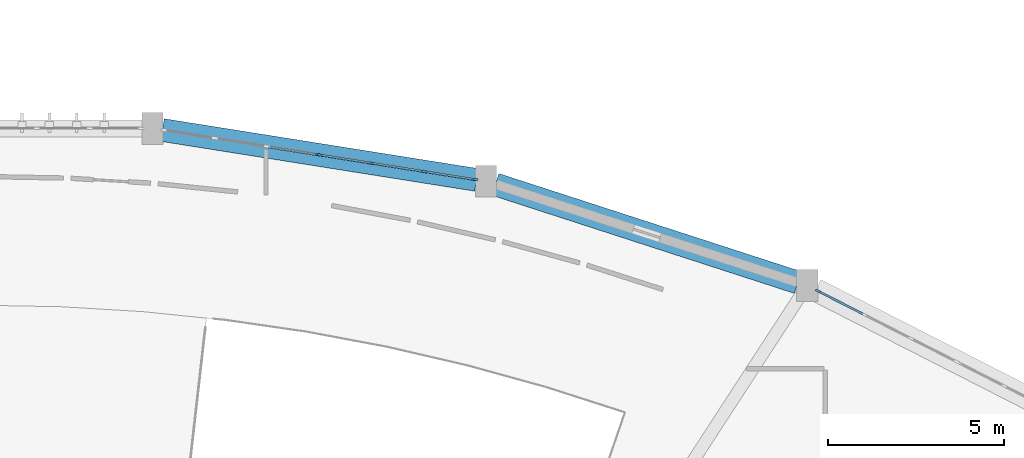
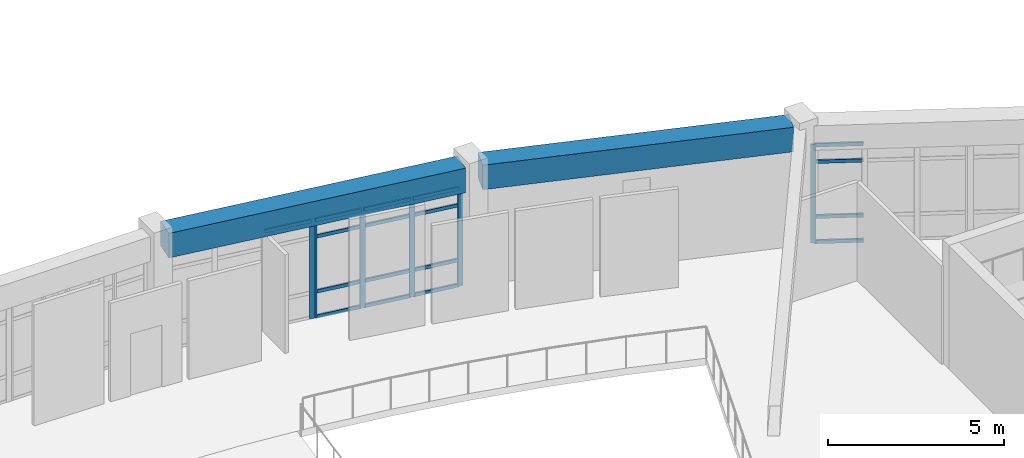
# One storey, part 21 of 57: 23 members, 2 beams, 3 elements without a shape of their own.
"""IFC4 building model written with IfcOpenShell, lengths in metres."""

from ifc_helpers import new_model, si_unit, direction, frame, origin, origin_2d, place, context, subcontext, project, spatial, rectangle, extrude, material, layer, layer_set, material_profile, profile_set, type_object, element, aggregate, save


model = new_model("IFC4")

# Units and contexts
model_context = context("Model", 3, precision=1e-05, world=origin(), true_north=direction((0.0, 1.0)))
body_context = subcontext(model_context, "Body", "Model", "MODEL_VIEW")
ifc_project = project(units=[si_unit("LENGTHUNIT", "METRE"), si_unit("AREAUNIT", "SQUARE_METRE"), si_unit("VOLUMEUNIT", "CUBIC_METRE"), si_unit("PLANEANGLEUNIT", "RADIAN"), si_unit("MASSUNIT", "GRAM", prefix="KILO")], contexts=[model_context])

# Site, building, storey
site_placement = place(None, origin())
site = spatial("IfcSite", under=ifc_project, at=site_placement, CompositionType="ELEMENT")
building_placement = place(site_placement, origin())
building = spatial("IfcBuilding", under=site, at=building_placement, Name="Miralva Faculty of Natural Sciences", CompositionType="ELEMENT")
storey_placement = place(building_placement, frame((0.0, 0.0, 15.0)))
storey = spatial("IfcBuildingStorey", under=building, at=storey_placement, Name="L03", CompositionType="ELEMENT", Elevation=15.0)

# Beams
ifc_material_1 = material(Name="Concrete C40/50", Category="concrete")
ifc_material_profile_1 = material_profile(ifc_material_1, rectangle(XDim=0.64990234375, YDim=0.85009765625, at=origin_2d()), Name="RC 650x850")
ifc_profile_set_1 = profile_set([ifc_material_profile_1], Name="Concrete C40/50")
beam_type = type_object("IfcBeamType", Name="BM-SP03", PredefinedType="SPANDREL", material=ifc_profile_set_1)
beam_1_placement = place(storey_placement, frame((113.077392578125, 35.445068359375, 3.8349609375), z_axis=(-0.951264483171, 0.30837620378, 0.0), x_axis=(-0.30837620378, -0.951264483171, 0.0)))
element("IfcBeam", 1, at=beam_1_placement, inside=storey, type_object=beam_type, Name="Curved chord girder SHOUT L03-3", PredefinedType="SPANDREL", context=body_context, shape_type="SweptSolid", body=[
    extrude(rectangle(XDim=0.64990234375, YDim=0.85009765625, at=origin_2d()), origin(), (0.0, 0.0, 1.0), 9.01416015625),
])
beam_2_placement = place(storey_placement, frame((103.96728515625, 38.353271484375, 3.8349609375), z_axis=(-0.987637724409, 0.156753709124, 0.0), x_axis=(-0.156753709124, -0.987637724409, 0.0)))
element("IfcBeam", 2, at=beam_2_placement, inside=storey, type_object=beam_type, Name="Curved chord girder SHOUT L03-4", PredefinedType="SPANDREL", context=body_context, shape_type="SweptSolid", body=[
    extrude(rectangle(XDim=0.64990234375, YDim=0.85009765625, at=origin_2d()), origin(), (0.0, 0.0, 1.0), 9.016357421875),
])

# Curtain wall, member
ifc_material_2 = material(Name="Laminated solar-control glass", Category="glass")
ifc_layer = layer(ifc_material_2, 0.179931640625, Name="CW-ARC-L03")
ifc_layer_set = layer_set([ifc_layer], Name="Laminated solar-control glass")
curtain_wall_type = type_object("IfcCurtainWallType", Name="CW-ARC-L03", PredefinedType="USERDEFINED", material=ifc_layer_set)
curtain_wall_1_placement = place(storey_placement, origin())
curtain_wall_1 = element("IfcCurtainWall", 3, at=curtain_wall_1_placement, inside=storey, type_object=curtain_wall_type, Name="Curtain wall CW-03 L03-135", ObjectType="UNITISED CURTAIN WALL", PredefinedType="USERDEFINED")
ifc_material_3 = material(Name="Anodised aluminium", Category="aluminium")
ifc_material_profile_2 = material_profile(ifc_material_3, rectangle(XDim=0.06494140625, YDim=0.159912109375, at=origin_2d()), Name="MULLION 65x160")
ifc_profile_set_2 = profile_set([ifc_material_profile_2], Name="Anodised aluminium")
member_type_1 = type_object("IfcMemberType", Name="CW-M02", PredefinedType="MULLION", material=ifc_profile_set_2)
member_1_placement = place(storey_placement, frame((99.48095703125, 39.068359375, 0.0), z_axis=(0.0, 0.0, 1.0), x_axis=(0.15640978572, 0.987692249099, 0.0)))
member_1 = element("IfcMember", 4, at=member_1_placement, type_object=member_type_1, Name="CW-03 mullion 4", PredefinedType="MULLION", context=body_context, shape_type="SweptSolid", body=[
    extrude(rectangle(XDim=0.06494140625, YDim=0.159912109375, at=origin_2d()), origin(), (0.0, 0.0, 1.0), 3.405029296875),
])

# Curtain wall, members
curtain_wall_2_placement = place(storey_placement, origin())
curtain_wall_2 = element("IfcCurtainWall", 5, at=curtain_wall_2_placement, inside=storey, type_object=curtain_wall_type, Name="Curtain wall CW-03 L03-136", ObjectType="UNITISED CURTAIN WALL", PredefinedType="USERDEFINED")
member_2_placement = place(storey_placement, frame((99.540283203125, 39.05908203125, 0.0), z_axis=(0.0, 0.0, 1.0), x_axis=(0.156436640476, 0.987687996038, 0.0)))
member_2 = element("IfcMember", 6, at=member_2_placement, type_object=member_type_1, Name="CW-03 mullion 1", PredefinedType="MULLION", context=body_context, shape_type="SweptSolid", body=[
    extrude(rectangle(XDim=0.06494140625, YDim=0.159912109375, at=origin_2d()), origin(), (0.0, 0.0, 1.0), 3.405029296875),
])
member_3_placement = place(storey_placement, frame((100.99169921875, 38.8291015625, 0.0), z_axis=(0.0, 0.0, 1.0), x_axis=(0.156436640476, 0.987687996038, 0.0)))
member_3 = element("IfcMember", 7, at=member_3_placement, type_object=member_type_1, Name="CW-03 mullion 2", PredefinedType="MULLION", context=body_context, shape_type="SweptSolid", body=[
    extrude(rectangle(XDim=0.06494140625, YDim=0.159912109375, at=origin_2d()), origin(), (0.0, 0.0, 1.0), 3.405029296875),
])
member_4_placement = place(storey_placement, frame((102.47509765625, 38.59423828125, 0.0), z_axis=(0.0, 0.0, 1.0), x_axis=(0.156436640476, 0.987687996038, 0.0)))
member_4 = element("IfcMember", 8, at=member_4_placement, type_object=member_type_1, Name="CW-03 mullion 3", PredefinedType="MULLION", context=body_context, shape_type="SweptSolid", body=[
    extrude(rectangle(XDim=0.06494140625, YDim=0.159912109375, at=origin_2d()), origin(), (0.0, 0.0, 1.0), 3.405029296875),
])
member_5_placement = place(storey_placement, frame((103.926513671875, 38.3642578125, 0.0), z_axis=(0.0, 0.0, 1.0), x_axis=(0.156436640476, 0.987687996038, 0.0)))
member_5 = element("IfcMember", 9, at=member_5_placement, type_object=member_type_1, Name="CW-03 mullion 4", PredefinedType="MULLION", context=body_context, shape_type="SweptSolid", body=[
    extrude(rectangle(XDim=0.06494140625, YDim=0.159912109375, at=origin_2d()), origin(), (0.0, 0.0, 1.0), 3.405029296875),
])

# Curtain wall, member
curtain_wall_3_placement = place(storey_placement, origin())
curtain_wall_3 = element("IfcCurtainWall", 10, at=curtain_wall_3_placement, inside=storey, type_object=curtain_wall_type, Name="Curtain wall CW-03 L03-137", ObjectType="UNITISED CURTAIN WALL", PredefinedType="USERDEFINED")
member_6_placement = place(storey_placement, frame((113.6533203125, 35.19873046875, 0.0), z_axis=(0.0, 0.0, 1.0), x_axis=(0.453973358631, 0.891015257812, 0.0)))
member_6 = element("IfcMember", 11, at=member_6_placement, type_object=member_type_1, Name="CW-03 mullion 1", PredefinedType="MULLION", context=body_context, shape_type="SweptSolid", body=[
    extrude(rectangle(XDim=0.06494140625, YDim=0.159912109375, at=origin_2d()), origin(), (0.0, 0.0, 1.0), 3.405029296875),
])

# Member
ifc_material_profile_3 = material_profile(ifc_material_3, rectangle(XDim=0.06005859375, YDim=0.1201171875, at=origin_2d()), Name="TRANSOM 60x120")
ifc_profile_set_3 = profile_set([ifc_material_profile_3], Name="Anodised aluminium")
member_type_2 = type_object("IfcMemberType", Name="CW-T02", PredefinedType="USERDEFINED", material=ifc_profile_set_3)
member_7_placement = place(storey_placement, frame((98.063232421875, 39.29296875, 3.375), z_axis=(0.987688073971, -0.156436148432, 0.0), x_axis=(0.156436148432, 0.987688073971, 0.0)))
member_7 = element("IfcMember", 12, at=member_7_placement, type_object=member_type_2, Name="CW-03 transom 3.4", ObjectType="TRANSOM", PredefinedType="USERDEFINED", context=body_context, shape_type="SweptSolid", body=[
    extrude(rectangle(XDim=0.06005859375, YDim=0.1201171875, at=origin_2d()), origin(), (0.0, 0.0, 1.0), 1.403076171875),
])

aggregate(curtain_wall_1, [member_1, member_7])

member_8_placement = place(storey_placement, frame((99.572509765625, 39.053955078125, 0.030029296875), z_axis=(0.987686739548, -0.156444573318, 0.0), x_axis=(0.156444573318, 0.987686739548, 0.0)))
member_8 = element("IfcMember", 13, at=member_8_placement, type_object=member_type_2, Name="CW-03 transom 1.1", ObjectType="TRANSOM", PredefinedType="USERDEFINED", context=body_context, shape_type="SweptSolid", body=[
    extrude(rectangle(XDim=0.06005859375, YDim=0.1201171875, at=origin_2d()), origin(), (0.0, 0.0, 1.0), 1.404541015625),
])

member_9_placement = place(storey_placement, frame((99.572509765625, 39.053955078125, 0.89990234375), z_axis=(0.987686739548, -0.156444573318, 0.0), x_axis=(0.156444573318, 0.987686739548, 0.0)))
member_9 = element("IfcMember", 14, at=member_9_placement, type_object=member_type_2, Name="CW-03 transom 1.2", ObjectType="TRANSOM", PredefinedType="USERDEFINED", context=body_context, shape_type="SweptSolid", body=[
    extrude(rectangle(XDim=0.06005859375, YDim=0.1201171875, at=origin_2d()), origin(), (0.0, 0.0, 1.0), 1.404541015625),
])

member_10_placement = place(storey_placement, frame((99.572509765625, 39.053955078125, 2.804931640625), z_axis=(0.987686739548, -0.156444573318, 0.0), x_axis=(0.156444573318, 0.987686739548, 0.0)))
member_10 = element("IfcMember", 15, at=member_10_placement, type_object=member_type_2, Name="CW-03 transom 1.3", ObjectType="TRANSOM", PredefinedType="USERDEFINED", context=body_context, shape_type="SweptSolid", body=[
    extrude(rectangle(XDim=0.06005859375, YDim=0.1201171875, at=origin_2d()), origin(), (0.0, 0.0, 1.0), 1.404541015625),
])

member_11_placement = place(storey_placement, frame((99.572509765625, 39.053955078125, 3.375), z_axis=(0.987686739548, -0.156444573318, 0.0), x_axis=(0.156444573318, 0.987686739548, 0.0)))
member_11 = element("IfcMember", 16, at=member_11_placement, type_object=member_type_2, Name="CW-03 transom 1.4", ObjectType="TRANSOM", PredefinedType="USERDEFINED", context=body_context, shape_type="SweptSolid", body=[
    extrude(rectangle(XDim=0.06005859375, YDim=0.1201171875, at=origin_2d()), origin(), (0.0, 0.0, 1.0), 1.404541015625),
])

member_12_placement = place(storey_placement, frame((101.023681640625, 38.823974609375, 0.030029296875), z_axis=(0.987710566798, -0.156294069738, 0.0), x_axis=(0.156294069738, 0.987710566798, 0.0)))
member_12 = element("IfcMember", 17, at=member_12_placement, type_object=member_type_2, Name="CW-03 transom 2.1", ObjectType="TRANSOM", PredefinedType="USERDEFINED", context=body_context, shape_type="SweptSolid", body=[
    extrude(rectangle(XDim=0.06005859375, YDim=0.1201171875, at=origin_2d()), origin(), (0.0, 0.0, 1.0), 1.43701171875),
])

member_13_placement = place(storey_placement, frame((101.023681640625, 38.823974609375, 0.89990234375), z_axis=(0.987710566798, -0.156294069738, 0.0), x_axis=(0.156294069738, 0.987710566798, 0.0)))
member_13 = element("IfcMember", 18, at=member_13_placement, type_object=member_type_2, Name="CW-03 transom 2.2", ObjectType="TRANSOM", PredefinedType="USERDEFINED", context=body_context, shape_type="SweptSolid", body=[
    extrude(rectangle(XDim=0.06005859375, YDim=0.1201171875, at=origin_2d()), origin(), (0.0, 0.0, 1.0), 1.43701171875),
])

member_14_placement = place(storey_placement, frame((101.023681640625, 38.823974609375, 2.804931640625), z_axis=(0.987710566798, -0.156294069738, 0.0), x_axis=(0.156294069738, 0.987710566798, 0.0)))
member_14 = element("IfcMember", 19, at=member_14_placement, type_object=member_type_2, Name="CW-03 transom 2.3", ObjectType="TRANSOM", PredefinedType="USERDEFINED", context=body_context, shape_type="SweptSolid", body=[
    extrude(rectangle(XDim=0.06005859375, YDim=0.1201171875, at=origin_2d()), origin(), (0.0, 0.0, 1.0), 1.43701171875),
])

member_15_placement = place(storey_placement, frame((101.023681640625, 38.823974609375, 3.375), z_axis=(0.987710566798, -0.156294069738, 0.0), x_axis=(0.156294069738, 0.987710566798, 0.0)))
member_15 = element("IfcMember", 20, at=member_15_placement, type_object=member_type_2, Name="CW-03 transom 2.4", ObjectType="TRANSOM", PredefinedType="USERDEFINED", context=body_context, shape_type="SweptSolid", body=[
    extrude(rectangle(XDim=0.06005859375, YDim=0.1201171875, at=origin_2d()), origin(), (0.0, 0.0, 1.0), 1.43701171875),
])

member_16_placement = place(storey_placement, frame((102.50732421875, 38.589111328125, 0.030029296875), z_axis=(0.987686739548, -0.156444573318, 0.0), x_axis=(0.156444573318, 0.987686739548, 0.0)))
member_16 = element("IfcMember", 21, at=member_16_placement, type_object=member_type_2, Name="CW-03 transom 3.1", ObjectType="TRANSOM", PredefinedType="USERDEFINED", context=body_context, shape_type="SweptSolid", body=[
    extrude(rectangle(XDim=0.06005859375, YDim=0.1201171875, at=origin_2d()), origin(), (0.0, 0.0, 1.0), 1.404541015625),
])

member_17_placement = place(storey_placement, frame((102.50732421875, 38.589111328125, 0.89990234375), z_axis=(0.987686739548, -0.156444573318, 0.0), x_axis=(0.156444573318, 0.987686739548, 0.0)))
member_17 = element("IfcMember", 22, at=member_17_placement, type_object=member_type_2, Name="CW-03 transom 3.2", ObjectType="TRANSOM", PredefinedType="USERDEFINED", context=body_context, shape_type="SweptSolid", body=[
    extrude(rectangle(XDim=0.06005859375, YDim=0.1201171875, at=origin_2d()), origin(), (0.0, 0.0, 1.0), 1.404541015625),
])

member_18_placement = place(storey_placement, frame((102.50732421875, 38.589111328125, 2.804931640625), z_axis=(0.987686739548, -0.156444573318, 0.0), x_axis=(0.156444573318, 0.987686739548, 0.0)))
member_18 = element("IfcMember", 23, at=member_18_placement, type_object=member_type_2, Name="CW-03 transom 3.3", ObjectType="TRANSOM", PredefinedType="USERDEFINED", context=body_context, shape_type="SweptSolid", body=[
    extrude(rectangle(XDim=0.06005859375, YDim=0.1201171875, at=origin_2d()), origin(), (0.0, 0.0, 1.0), 1.404541015625),
])

member_19_placement = place(storey_placement, frame((102.50732421875, 38.589111328125, 3.375), z_axis=(0.987686739548, -0.156444573318, 0.0), x_axis=(0.156444573318, 0.987686739548, 0.0)))
member_19 = element("IfcMember", 24, at=member_19_placement, type_object=member_type_2, Name="CW-03 transom 3.4", ObjectType="TRANSOM", PredefinedType="USERDEFINED", context=body_context, shape_type="SweptSolid", body=[
    extrude(rectangle(XDim=0.06005859375, YDim=0.1201171875, at=origin_2d()), origin(), (0.0, 0.0, 1.0), 1.404541015625),
])

aggregate(curtain_wall_2, [member_2, member_3, member_4, member_5, member_8, member_9, member_10, member_11, member_12, member_13, member_14, member_15, member_16, member_17, member_18, member_19])

member_20_placement = place(storey_placement, frame((113.682373046875, 35.18408203125, 0.030029296875), z_axis=(0.891000699846, -0.454001930474, 0.0), x_axis=(0.454001930474, 0.891000699846, 0.0)))
member_20 = element("IfcMember", 25, at=member_20_placement, type_object=member_type_2, Name="CW-03 transom 1.1", ObjectType="TRANSOM", PredefinedType="USERDEFINED", context=body_context, shape_type="SweptSolid", body=[
    extrude(rectangle(XDim=0.06005859375, YDim=0.1201171875, at=origin_2d()), origin(), (0.0, 0.0, 1.0), 1.392822265625),
])

member_21_placement = place(storey_placement, frame((113.682373046875, 35.18408203125, 0.89990234375), z_axis=(0.891000699846, -0.454001930474, 0.0), x_axis=(0.454001930474, 0.891000699846, 0.0)))
member_21 = element("IfcMember", 26, at=member_21_placement, type_object=member_type_2, Name="CW-03 transom 1.2", ObjectType="TRANSOM", PredefinedType="USERDEFINED", context=body_context, shape_type="SweptSolid", body=[
    extrude(rectangle(XDim=0.06005859375, YDim=0.1201171875, at=origin_2d()), origin(), (0.0, 0.0, 1.0), 1.392822265625),
])

member_22_placement = place(storey_placement, frame((113.682373046875, 35.18408203125, 2.804931640625), z_axis=(0.891000699846, -0.454001930474, 0.0), x_axis=(0.454001930474, 0.891000699846, 0.0)))
member_22 = element("IfcMember", 27, at=member_22_placement, type_object=member_type_2, Name="CW-03 transom 1.3", ObjectType="TRANSOM", PredefinedType="USERDEFINED", context=body_context, shape_type="SweptSolid", body=[
    extrude(rectangle(XDim=0.06005859375, YDim=0.1201171875, at=origin_2d()), origin(), (0.0, 0.0, 1.0), 1.392822265625),
])

member_23_placement = place(storey_placement, frame((113.682373046875, 35.18408203125, 3.375), z_axis=(0.891000699846, -0.454001930474, 0.0), x_axis=(0.454001930474, 0.891000699846, 0.0)))
member_23 = element("IfcMember", 28, at=member_23_placement, type_object=member_type_2, Name="CW-03 transom 1.4", ObjectType="TRANSOM", PredefinedType="USERDEFINED", context=body_context, shape_type="SweptSolid", body=[
    extrude(rectangle(XDim=0.06005859375, YDim=0.1201171875, at=origin_2d()), origin(), (0.0, 0.0, 1.0), 1.392822265625),
])

aggregate(curtain_wall_3, [member_6, member_20, member_21, member_22, member_23])

save(model, "model.ifc")
